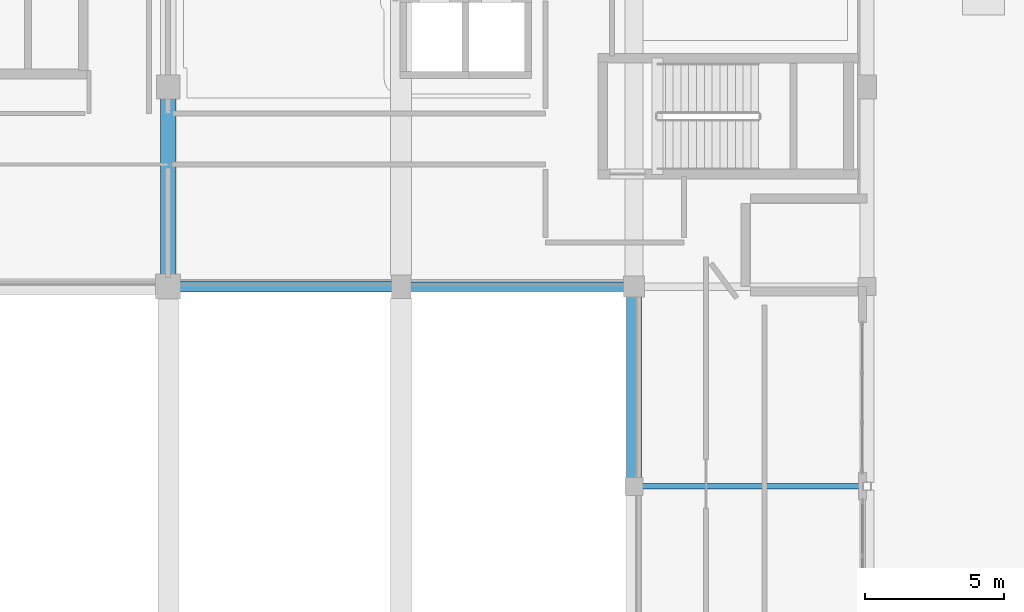
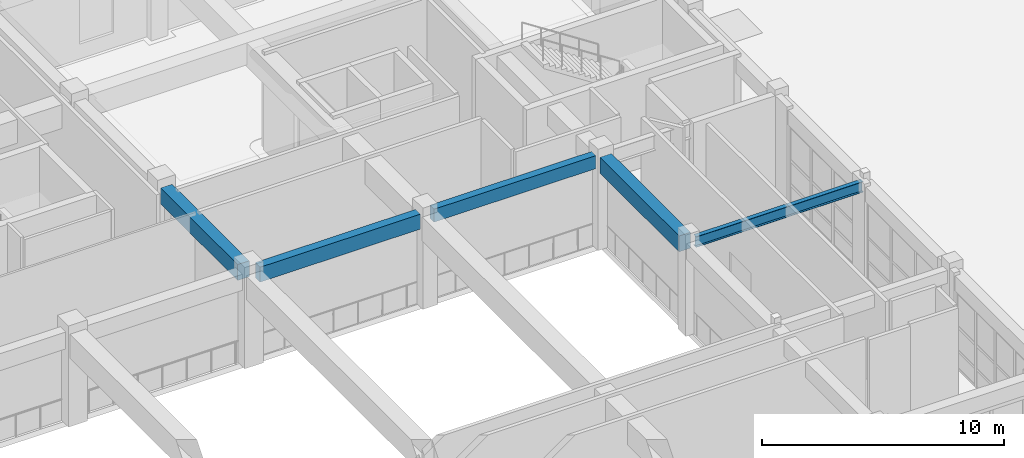
# One storey, part 41 of 78: 5 beams.
"""IFC4 building model written with IfcOpenShell, lengths in metres."""

from ifc_helpers import new_model, si_unit, direction, frame, origin, origin_2d, place, context, subcontext, project, spatial, rectangle, i_section, extrude, material, material_profile, profile_set, type_object, element, save


model = new_model("IFC4")

# Units and contexts
model_context = context("Model", 3, precision=1e-05, world=origin(), true_north=direction((0.0, 1.0)))
body_context = subcontext(model_context, "Body", "Model", "MODEL_VIEW")
ifc_project = project(units=[si_unit("LENGTHUNIT", "METRE"), si_unit("AREAUNIT", "SQUARE_METRE"), si_unit("VOLUMEUNIT", "CUBIC_METRE"), si_unit("PLANEANGLEUNIT", "RADIAN"), si_unit("MASSUNIT", "GRAM", prefix="KILO")], contexts=[model_context])

# Site, building, storey
site_placement = place(None, origin())
site = spatial("IfcSite", under=ifc_project, at=site_placement, CompositionType="ELEMENT")
building_placement = place(site_placement, origin())
building = spatial("IfcBuilding", under=site, at=building_placement, Name="Quendrovan Civic Courthouse", CompositionType="ELEMENT")
storey_placement = place(building_placement, frame((0.0, 0.0, 10.199951171875)))
storey = spatial("IfcBuildingStorey", under=building, at=storey_placement, Name="L03", CompositionType="ELEMENT", Elevation=10.199951171875)

# Beams
ifc_material_1 = material(Name="Concrete C40/50", Category="concrete")
ifc_material_profile_1 = material_profile(ifc_material_1, rectangle(XDim=0.35009765625, YDim=0.64990234375, at=origin_2d()), Name="RC-BM-350x650")
ifc_profile_set_1 = profile_set([ifc_material_profile_1], Name="Concrete C40/50")
beam_type_1 = type_object("IfcBeamType", Name="BM-RC650B", PredefinedType="BEAM", material=ifc_profile_set_1)
beam_1_placement = place(storey_placement, frame((75.929931640625, 87.60009765625, 4.3349609375), z_axis=(1.0, 0.0, 0.0), x_axis=(0.0, 1.0, 0.0)))
element("IfcBeam", 1, at=beam_1_placement, inside=storey, type_object=beam_type_1, Name="L03 Girder X0765", PredefinedType="BEAM", context=body_context, shape_type="SweptSolid", body=[
    extrude(rectangle(XDim=0.35009765625, YDim=0.64990234375, at=origin_2d()), origin(), (0.0, 0.0, 1.0), 7.715087890625),
])
ifc_material_profile_2 = material_profile(ifc_material_1, rectangle(XDim=0.39990234375, YDim=0.75, at=origin_2d()), Name="RC-BM-400x750")
ifc_profile_set_2 = profile_set([ifc_material_profile_2], Name="Concrete C40/50")
beam_type_2 = type_object("IfcBeamType", Name="BM-RC750B", PredefinedType="BEAM", material=ifc_profile_set_2)
beam_2_placement = place(storey_placement, frame((67.6298828125, 87.60009765625, 4.28515625), z_axis=(1.0, 0.0, 0.0), x_axis=(0.0, 1.0, 0.0)))
element("IfcBeam", 2, at=beam_2_placement, inside=storey, type_object=beam_type_2, Name="L03 Girder X0764", PredefinedType="BEAM", context=body_context, shape_type="SweptSolid", body=[
    extrude(rectangle(XDim=0.39990234375, YDim=0.75, at=origin_2d()), origin(), (0.0, 0.0, 1.0), 7.64013671875),
])
ifc_material_profile_3 = material_profile(ifc_material_1, rectangle(XDim=0.550048828125, YDim=0.800048828125, at=origin_2d()), Name="RC-BM-550x800")
ifc_profile_set_3 = profile_set([ifc_material_profile_3], Name="Concrete C40/50")
beam_type_3 = type_object("IfcBeamType", Name="BM-RC800", PredefinedType="BEAM", material=ifc_profile_set_3)
beam_3_placement = place(storey_placement, frame((67.199951171875, 88.030029296875, 4.260009765625), z_axis=(0.0, 1.0, 0.0), x_axis=(-1.0, 0.0, 0.0)))
element("IfcBeam", 3, at=beam_3_placement, inside=storey, type_object=beam_type_3, Name="L03 Girder Y0845", PredefinedType="BEAM", context=body_context, shape_type="SweptSolid", body=[
    extrude(rectangle(XDim=0.550048828125, YDim=0.800048828125, at=origin_2d()), origin(), (0.0, 0.0, 1.0), 6.364990234375),
])
beam_4_placement = place(storey_placement, frame((84.0, 80.705078125, 4.260009765625), z_axis=(0.0, 1.0, 0.0), x_axis=(-1.0, 0.0, 0.0)))
element("IfcBeam", 4, at=beam_4_placement, inside=storey, type_object=beam_type_3, Name="L03 Girder Y0852", PredefinedType="BEAM", context=body_context, shape_type="SweptSolid", body=[
    extrude(rectangle(XDim=0.550048828125, YDim=0.800048828125, at=origin_2d()), origin(), (0.0, 0.0, 1.0), 6.5400390625),
])
ifc_material_2 = material(Name="Steel ASTM A992 Grade 50", Category="steel")
ifc_material_profile_4 = material_profile(ifc_material_2, i_section(OverallWidth=0.208984375, OverallDepth=0.532958984375, WebThickness=0.01025390625, FlangeThickness=0.015625, at=origin_2d()), Name="W21X62")
ifc_profile_set_4 = profile_set([ifc_material_profile_4], Name="Steel ASTM A992 Grade 50")
beam_type_4 = type_object("IfcBeamType", Name="BM-STL-W21", PredefinedType="JOIST", material=ifc_profile_set_4)
beam_5_placement = place(storey_placement, frame((84.304931640625, 80.39990234375, 4.3935546875), z_axis=(1.0, 0.0, 0.0), x_axis=(0.0, 1.0, 0.0)))
element("IfcBeam", 5, at=beam_5_placement, inside=storey, type_object=beam_type_4, Name="L03 Girder X0759", PredefinedType="JOIST", context=body_context, shape_type="SweptSolid", body=[
    extrude(i_section(OverallWidth=0.208984375, OverallDepth=0.532958984375, WebThickness=0.01025390625, FlangeThickness=0.015625, at=origin_2d()), origin(), (0.0, 0.0, 1.0), 7.965087890625),
])

save(model, "model.ifc")
